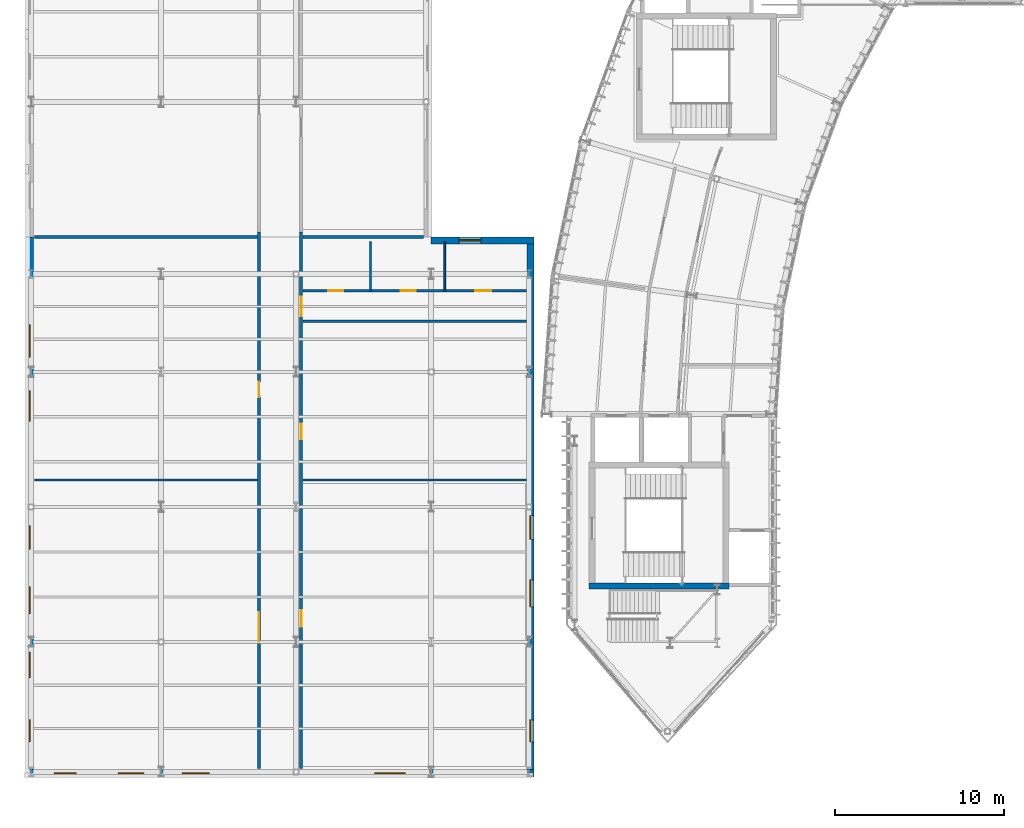
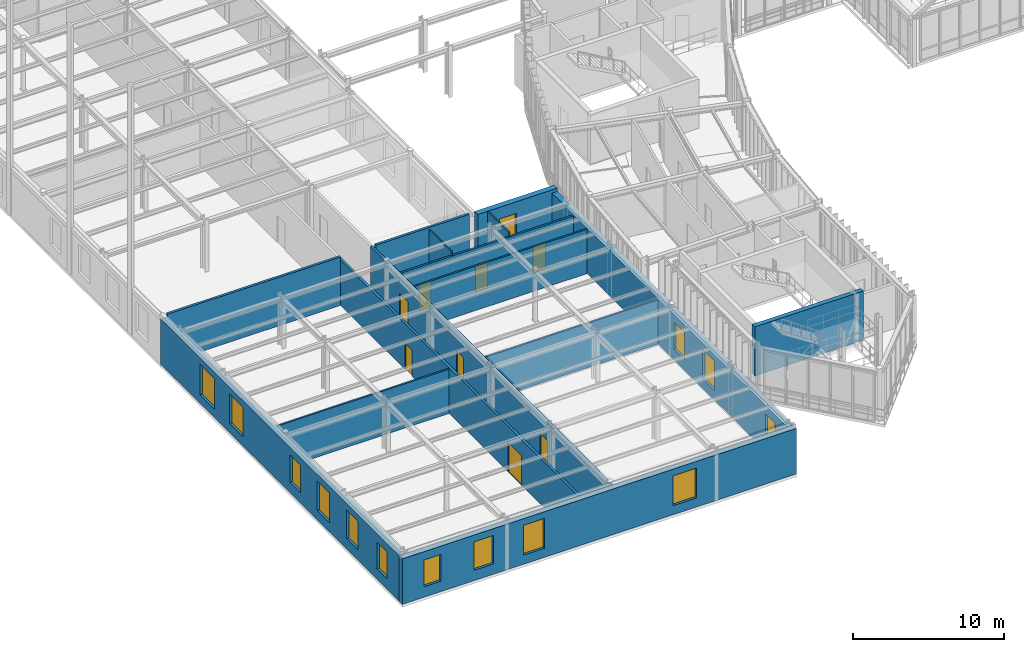
# One storey, part 124 of 148: 15 walls, 14 windows, 8 doors, 22 openings.
"""IFC4 building model written with IfcOpenShell, lengths in metres."""

from ifc_helpers import new_model, si_unit, direction, frame, frame_2d, origin, place, context, subcontext, project, spatial, rectangle, extrude, material, layer, layer_set, type_object, element, fill, save


model = new_model("IFC4")

# Units and contexts
model_context = context("Model", 3, precision=1e-05, world=origin(), true_north=direction((0.0, 1.0)))
body_context = subcontext(model_context, "Body", "Model", "MODEL_VIEW")
ifc_project = project(units=[si_unit("LENGTHUNIT", "METRE"), si_unit("AREAUNIT", "SQUARE_METRE"), si_unit("VOLUMEUNIT", "CUBIC_METRE"), si_unit("PLANEANGLEUNIT", "RADIAN"), si_unit("MASSUNIT", "GRAM", prefix="KILO"), si_unit("THERMODYNAMICTEMPERATUREUNIT", "KELVIN"), si_unit("POWERUNIT", "WATT")], contexts=[model_context])

# Site, building, storey
site_placement = place(None, origin())
site = spatial("IfcSite", under=ifc_project, at=site_placement, CompositionType="ELEMENT")
building_placement = place(site_placement, origin())
building = spatial("IfcBuilding", under=site, at=building_placement, Name="Solvatero Civic Police Headquarters", CompositionType="ELEMENT")
storey_placement = place(building_placement, frame((0.0, 0.0, 5.10009765625)))
storey = spatial("IfcBuildingStorey", under=building, at=storey_placement, Name="L01", CompositionType="ELEMENT", Elevation=5.10009765625)

# Wall, openings, windows
ifc_material_1 = material(Name="Cream Limestone Ashlar", Category="masonry")
ifc_layer_1 = layer(ifc_material_1, 0.419921875)
ifc_layer_set_1 = layer_set([ifc_layer_1], Name="Cream Limestone Ashlar")
wall_type_1 = type_object("IfcWallType", Name="WL-EXT-LIME-420", PredefinedType="SOLIDWALL", material=ifc_layer_set_1)
wall_1_placement = place(storey_placement, frame((4.510009765625, 4.719970703125, 0.0), z_axis=(0.0, 0.0, 1.0), x_axis=(1.0, 0.0, 0.0)))
wall_1 = element("IfcWall", 1, at=wall_1_placement, inside=storey, type_object=wall_type_1, Name="Exterior Wall WLE-L01-V4-S", PredefinedType="SOLIDWALL", context=body_context, shape_type="SweptSolid", body=[
    extrude(rectangle(XDim=30.080078125, YDim=0.419921875, at=frame_2d((15.0400390625, 0.0))), origin(), (0.0, 0.0, 1.0), 3.679931640625),
])
opening_1_placement = place(wall_1_placement, frame((1.64990234375, 0.0, 0.85009765625)))
opening_1 = element("IfcOpeningElement", 2, at=opening_1_placement, cuts=wall_1, Name="Opening W-13", PredefinedType="OPENING", context=body_context, shape_type="SweptSolid", body=[
    extrude(rectangle(XDim=1.300048828125, YDim=2.14990234375, at=frame_2d((0.64990234375, 1.074951171875))), frame((0.0, 0.219970703125, 0.0), z_axis=(0.0, -1.0, 0.0), x_axis=(1.0, 0.0, 0.0)), (0.0, 0.0, 1.0), 0.43994140625),
])
opening_2_placement = place(wall_1_placement, frame((5.449951171875, 0.0, 0.840087890625)))
opening_2 = element("IfcOpeningElement", 3, at=opening_2_placement, cuts=wall_1, Name="Opening W-03", PredefinedType="OPENING", context=body_context, shape_type="SweptSolid", body=[
    extrude(rectangle(XDim=1.5, YDim=2.300048828125, at=frame_2d((0.75, 1.14990234375))), frame((0.0, 0.219970703125, 0.0), z_axis=(0.0, -1.0, 0.0), x_axis=(1.0, 0.0, 0.0)), (0.0, 0.0, 1.0), 0.43994140625),
])
opening_3_placement = place(wall_1_placement, frame((9.25, 0.0, 0.739990234375)))
opening_3 = element("IfcOpeningElement", 4, at=opening_3_placement, cuts=wall_1, Name="Opening W-04", PredefinedType="OPENING", context=body_context, shape_type="SweptSolid", body=[
    extrude(rectangle(XDim=1.60009765625, YDim=2.39990234375, at=frame_2d((0.800048828125, 1.199951171875))), frame((0.0, 0.219970703125, 0.0), z_axis=(0.0, -1.0, 0.0), x_axis=(1.0, 0.0, 0.0)), (0.0, 0.0, 1.0), 0.43994140625),
])
opening_4_placement = place(wall_1_placement, frame((20.64990234375, 0.0, 0.739990234375)))
opening_4 = element("IfcOpeningElement", 5, at=opening_4_placement, cuts=wall_1, Name="Opening W-05", PredefinedType="OPENING", context=body_context, shape_type="SweptSolid", body=[
    extrude(rectangle(XDim=1.800048828125, YDim=2.39990234375, at=frame_2d((0.89990234375, 1.199951171875))), frame((0.0, 0.219970703125, 0.0), z_axis=(0.0, -1.0, 0.0), x_axis=(1.0, 0.0, 0.0)), (0.0, 0.0, 1.0), 0.43994140625),
])
ifc_material_2 = material(Name="Anodized Bronze Aluminium", Category="aluminium")
window_type_1 = type_object("IfcWindowType", Name="WN-CL-130x215", PartitioningType="SINGLE_PANEL", PredefinedType="WINDOW", material=ifc_material_2)
window_1_placement = place(opening_1_placement, origin())
window_1 = element("IfcWindow", 6, at=window_1_placement, inside=storey, type_object=window_type_1, Name="Exterior Window 0011", OverallHeight=2.14990234375, OverallWidth=1.300048828125, PartitioningType="SINGLE_PANEL", PredefinedType="WINDOW", context=body_context, shape_type="SweptSolid", body=[
    extrude(rectangle(XDim=1.300048828125, YDim=2.14990234375, at=frame_2d((0.64990234375, 1.074951171875))), frame((0.0, 0.030029296875, 0.0), z_axis=(0.0, -1.0, 0.0), x_axis=(1.0, 0.0, 0.0)), (0.0, 0.0, 1.0), 0.06005859375),
])
fill(opening_1, window_1)
window_type_2 = type_object("IfcWindowType", Name="WN-CL-150x230", PartitioningType="SINGLE_PANEL", PredefinedType="WINDOW", material=ifc_material_2)
window_2_placement = place(opening_2_placement, origin())
window_2 = element("IfcWindow", 7, at=window_2_placement, inside=storey, type_object=window_type_2, Name="Exterior Window 0012", OverallHeight=2.300048828125, OverallWidth=1.5, PartitioningType="SINGLE_PANEL", PredefinedType="WINDOW", context=body_context, shape_type="SweptSolid", body=[
    extrude(rectangle(XDim=1.5, YDim=2.300048828125, at=frame_2d((0.75, 1.14990234375))), frame((0.0, 0.030029296875, 0.0), z_axis=(0.0, -1.0, 0.0), x_axis=(1.0, 0.0, 0.0)), (0.0, 0.0, 1.0), 0.06005859375),
])
fill(opening_2, window_2)
window_type_3 = type_object("IfcWindowType", Name="WN-CL-160x240", PartitioningType="SINGLE_PANEL", PredefinedType="WINDOW", material=ifc_material_2)
window_3_placement = place(opening_3_placement, origin())
window_3 = element("IfcWindow", 8, at=window_3_placement, inside=storey, type_object=window_type_3, Name="Exterior Window 0013", OverallHeight=2.39990234375, OverallWidth=1.60009765625, PartitioningType="SINGLE_PANEL", PredefinedType="WINDOW", context=body_context, shape_type="SweptSolid", body=[
    extrude(rectangle(XDim=1.60009765625, YDim=2.39990234375, at=frame_2d((0.800048828125, 1.199951171875))), frame((0.0, 0.030029296875, 0.0), z_axis=(0.0, -1.0, 0.0), x_axis=(1.0, 0.0, 0.0)), (0.0, 0.0, 1.0), 0.06005859375),
])
fill(opening_3, window_3)
window_type_4 = type_object("IfcWindowType", Name="WN-CL-180x240", PartitioningType="SINGLE_PANEL", PredefinedType="WINDOW", material=ifc_material_2)
window_4_placement = place(opening_4_placement, origin())
window_4 = element("IfcWindow", 9, at=window_4_placement, inside=storey, type_object=window_type_4, Name="Exterior Window 0014", OverallHeight=2.39990234375, OverallWidth=1.800048828125, PartitioningType="SINGLE_PANEL", PredefinedType="WINDOW", context=body_context, shape_type="SweptSolid", body=[
    extrude(rectangle(XDim=1.800048828125, YDim=2.39990234375, at=frame_2d((0.89990234375, 1.199951171875))), frame((0.0, 0.030029296875, 0.0), z_axis=(0.0, -1.0, 0.0), x_axis=(1.0, 0.0, 0.0)), (0.0, 0.0, 1.0), 0.06005859375),
])
fill(opening_4, window_4)

wall_2_placement = place(storey_placement, frame((4.719970703125, 4.929931640625, 0.0), z_axis=(0.0, 0.0, 1.0), x_axis=(0.0, 1.0, 0.0)))
wall_2 = element("IfcWall", 10, at=wall_2_placement, inside=storey, type_object=wall_type_1, Name="Exterior Wall WLE-L01-V4-W", PredefinedType="SOLIDWALL", context=body_context, shape_type="SweptSolid", body=[
    extrude(rectangle(XDim=31.570068359375, YDim=0.419921875, at=frame_2d((15.78515625, 0.0))), origin(), (0.0, 0.0, 1.0), 3.679931640625),
])
opening_5_placement = place(wall_2_placement, frame((1.64990234375, 0.0, 0.85009765625)))
opening_5 = element("IfcOpeningElement", 11, at=opening_5_placement, cuts=wall_2, Name="Opening W-13", PredefinedType="OPENING", context=body_context, shape_type="SweptSolid", body=[
    extrude(rectangle(XDim=1.300048828125, YDim=2.14990234375, at=frame_2d((0.64990234375, 1.074951171875))), frame((0.0, 0.219970703125, 0.0), z_axis=(0.0, -1.0, 0.0), x_axis=(1.0, 0.0, 0.0)), (0.0, 0.0, 1.0), 0.43994140625),
])
opening_6_placement = place(wall_2_placement, frame((5.449951171875, 0.0, 0.840087890625)))
opening_6 = element("IfcOpeningElement", 12, at=opening_6_placement, cuts=wall_2, Name="Opening W-03", PredefinedType="OPENING", context=body_context, shape_type="SweptSolid", body=[
    extrude(rectangle(XDim=1.5, YDim=2.300048828125, at=frame_2d((0.75, 1.14990234375))), frame((0.0, 0.219970703125, 0.0), z_axis=(0.0, -1.0, 0.0), x_axis=(1.0, 0.0, 0.0)), (0.0, 0.0, 1.0), 0.43994140625),
])
opening_7_placement = place(wall_2_placement, frame((9.25, 0.0, 0.739990234375)))
opening_7 = element("IfcOpeningElement", 13, at=opening_7_placement, cuts=wall_2, Name="Opening W-04", PredefinedType="OPENING", context=body_context, shape_type="SweptSolid", body=[
    extrude(rectangle(XDim=1.60009765625, YDim=2.39990234375, at=frame_2d((0.800048828125, 1.199951171875))), frame((0.0, 0.219970703125, 0.0), z_axis=(0.0, -1.0, 0.0), x_axis=(1.0, 0.0, 0.0)), (0.0, 0.0, 1.0), 0.43994140625),
])
opening_8_placement = place(wall_2_placement, frame((13.050048828125, 0.0, 0.85009765625)))
opening_8 = element("IfcOpeningElement", 14, at=opening_8_placement, cuts=wall_2, Name="Opening W-02", PredefinedType="OPENING", context=body_context, shape_type="SweptSolid", body=[
    extrude(rectangle(XDim=1.39990234375, YDim=2.199951171875, at=frame_2d((0.699951171875, 1.10009765625))), frame((0.0, 0.219970703125, 0.0), z_axis=(0.0, -1.0, 0.0), x_axis=(1.0, 0.0, 0.0)), (0.0, 0.0, 1.0), 0.43994140625),
])
opening_9_placement = place(wall_2_placement, frame((20.64990234375, 0.0, 0.739990234375)))
opening_9 = element("IfcOpeningElement", 15, at=opening_9_placement, cuts=wall_2, Name="Opening W-05", PredefinedType="OPENING", context=body_context, shape_type="SweptSolid", body=[
    extrude(rectangle(XDim=1.800048828125, YDim=2.39990234375, at=frame_2d((0.89990234375, 1.199951171875))), frame((0.0, 0.219970703125, 0.0), z_axis=(0.0, -1.0, 0.0), x_axis=(1.0, 0.0, 0.0)), (0.0, 0.0, 1.0), 0.43994140625),
])
opening_10_placement = place(wall_2_placement, frame((24.449951171875, 0.0, 0.68994140625)))
opening_10 = element("IfcOpeningElement", 16, at=opening_10_placement, cuts=wall_2, Name="Opening W-15", PredefinedType="OPENING", context=body_context, shape_type="SweptSolid", body=[
    extrude(rectangle(XDim=1.89990234375, YDim=2.449951171875, at=frame_2d((0.949951171875, 1.22509765625))), frame((0.0, 0.219970703125, 0.0), z_axis=(0.0, -1.0, 0.0), x_axis=(1.0, 0.0, 0.0)), (0.0, 0.0, 1.0), 0.43994140625),
])
window_5_placement = place(opening_5_placement, origin())
window_5 = element("IfcWindow", 17, at=window_5_placement, inside=storey, type_object=window_type_1, Name="Exterior Window 0015", OverallHeight=2.14990234375, OverallWidth=1.300048828125, PartitioningType="SINGLE_PANEL", PredefinedType="WINDOW", context=body_context, shape_type="SweptSolid", body=[
    extrude(rectangle(XDim=1.300048828125, YDim=2.14990234375, at=frame_2d((0.64990234375, 1.074951171875))), frame((0.0, 0.030029296875, 0.0), z_axis=(0.0, -1.0, 0.0), x_axis=(1.0, 0.0, 0.0)), (0.0, 0.0, 1.0), 0.06005859375),
])
fill(opening_5, window_5)
window_type_5 = type_object("IfcWindowType", Name="WN-CL-140x220", PartitioningType="SINGLE_PANEL", PredefinedType="WINDOW", material=ifc_material_2)
window_6_placement = place(opening_8_placement, origin())
window_6 = element("IfcWindow", 18, at=window_6_placement, inside=storey, type_object=window_type_5, Name="Exterior Window 0018", OverallHeight=2.199951171875, OverallWidth=1.39990234375, PartitioningType="SINGLE_PANEL", PredefinedType="WINDOW", context=body_context, shape_type="SweptSolid", body=[
    extrude(rectangle(XDim=1.39990234375, YDim=2.199951171875, at=frame_2d((0.699951171875, 1.10009765625))), frame((0.0, 0.030029296875, 0.0), z_axis=(0.0, -1.0, 0.0), x_axis=(1.0, 0.0, 0.0)), (0.0, 0.0, 1.0), 0.06005859375),
])
fill(opening_8, window_6)
window_7_placement = place(opening_6_placement, origin())
window_7 = element("IfcWindow", 19, at=window_7_placement, inside=storey, type_object=window_type_2, Name="Exterior Window 0016", OverallHeight=2.300048828125, OverallWidth=1.5, PartitioningType="SINGLE_PANEL", PredefinedType="WINDOW", context=body_context, shape_type="SweptSolid", body=[
    extrude(rectangle(XDim=1.5, YDim=2.300048828125, at=frame_2d((0.75, 1.14990234375))), frame((0.0, 0.030029296875, 0.0), z_axis=(0.0, -1.0, 0.0), x_axis=(1.0, 0.0, 0.0)), (0.0, 0.0, 1.0), 0.06005859375),
])
fill(opening_6, window_7)
window_8_placement = place(opening_7_placement, origin())
window_8 = element("IfcWindow", 20, at=window_8_placement, inside=storey, type_object=window_type_3, Name="Exterior Window 0017", OverallHeight=2.39990234375, OverallWidth=1.60009765625, PartitioningType="SINGLE_PANEL", PredefinedType="WINDOW", context=body_context, shape_type="SweptSolid", body=[
    extrude(rectangle(XDim=1.60009765625, YDim=2.39990234375, at=frame_2d((0.800048828125, 1.199951171875))), frame((0.0, 0.030029296875, 0.0), z_axis=(0.0, -1.0, 0.0), x_axis=(1.0, 0.0, 0.0)), (0.0, 0.0, 1.0), 0.06005859375),
])
fill(opening_7, window_8)
window_9_placement = place(opening_9_placement, origin())
window_9 = element("IfcWindow", 21, at=window_9_placement, inside=storey, type_object=window_type_4, Name="Exterior Window 0019", OverallHeight=2.39990234375, OverallWidth=1.800048828125, PartitioningType="SINGLE_PANEL", PredefinedType="WINDOW", context=body_context, shape_type="SweptSolid", body=[
    extrude(rectangle(XDim=1.800048828125, YDim=2.39990234375, at=frame_2d((0.89990234375, 1.199951171875))), frame((0.0, 0.030029296875, 0.0), z_axis=(0.0, -1.0, 0.0), x_axis=(1.0, 0.0, 0.0)), (0.0, 0.0, 1.0), 0.06005859375),
])
fill(opening_9, window_9)
window_type_6 = type_object("IfcWindowType", Name="WN-CL-190x245", PartitioningType="SINGLE_PANEL", PredefinedType="WINDOW", material=ifc_material_2)
window_10_placement = place(opening_10_placement, origin())
window_10 = element("IfcWindow", 22, at=window_10_placement, inside=storey, type_object=window_type_6, Name="Exterior Window 0020", OverallHeight=2.449951171875, OverallWidth=1.89990234375, PartitioningType="SINGLE_PANEL", PredefinedType="WINDOW", context=body_context, shape_type="SweptSolid", body=[
    extrude(rectangle(XDim=1.89990234375, YDim=2.449951171875, at=frame_2d((0.949951171875, 1.22509765625))), frame((0.0, 0.030029296875, 0.0), z_axis=(0.0, -1.0, 0.0), x_axis=(1.0, 0.0, 0.0)), (0.0, 0.0, 1.0), 0.06005859375),
])
fill(opening_10, window_10)

wall_3_placement = place(storey_placement, frame((34.3798828125, 4.929931640625, 0.0), z_axis=(0.0, 0.0, 1.0), x_axis=(0.0, 1.0, 0.0)))
wall_3 = element("IfcWall", 23, at=wall_3_placement, inside=storey, type_object=wall_type_1, Name="Exterior Wall WLE-L01-V4-E", PredefinedType="SOLIDWALL", context=body_context, shape_type="SweptSolid", body=[
    extrude(rectangle(XDim=31.360107421875, YDim=0.419921875, at=frame_2d((15.68017578125, 0.0))), origin(), (0.0, 0.0, 1.0), 3.679931640625),
])
opening_11_placement = place(wall_3_placement, frame((1.64990234375, 0.0, 0.85009765625)))
opening_11 = element("IfcOpeningElement", 24, at=opening_11_placement, cuts=wall_3, Name="Opening W-13", PredefinedType="OPENING", context=body_context, shape_type="SweptSolid", body=[
    extrude(rectangle(XDim=1.300048828125, YDim=2.14990234375, at=frame_2d((0.64990234375, 1.074951171875))), frame((0.0, 0.219970703125, 0.0), z_axis=(0.0, -1.0, 0.0), x_axis=(1.0, 0.0, 0.0)), (0.0, 0.0, 1.0), 0.43994140625),
])
opening_12_placement = place(wall_3_placement, frame((9.64990234375, 0.0, 0.739990234375)))
opening_12 = element("IfcOpeningElement", 25, at=opening_12_placement, cuts=wall_3, Name="Opening W-04", PredefinedType="OPENING", context=body_context, shape_type="SweptSolid", body=[
    extrude(rectangle(XDim=1.60009765625, YDim=2.39990234375, at=frame_2d((0.800048828125, 1.199951171875))), frame((0.0, 0.219970703125, 0.0), z_axis=(0.0, -1.0, 0.0), x_axis=(1.0, 0.0, 0.0)), (0.0, 0.0, 1.0), 0.43994140625),
])
opening_13_placement = place(wall_3_placement, frame((13.64990234375, 0.0, 0.85009765625)))
opening_13 = element("IfcOpeningElement", 26, at=opening_13_placement, cuts=wall_3, Name="Opening W-02", PredefinedType="OPENING", context=body_context, shape_type="SweptSolid", body=[
    extrude(rectangle(XDim=1.39990234375, YDim=2.199951171875, at=frame_2d((0.699951171875, 1.10009765625))), frame((0.0, 0.219970703125, 0.0), z_axis=(0.0, -1.0, 0.0), x_axis=(1.0, 0.0, 0.0)), (0.0, 0.0, 1.0), 0.43994140625),
])
window_11_placement = place(opening_11_placement, origin())
window_11 = element("IfcWindow", 27, at=window_11_placement, inside=storey, type_object=window_type_1, Name="Exterior Window 0021", OverallHeight=2.14990234375, OverallWidth=1.300048828125, PartitioningType="SINGLE_PANEL", PredefinedType="WINDOW", context=body_context, shape_type="SweptSolid", body=[
    extrude(rectangle(XDim=1.300048828125, YDim=2.14990234375, at=frame_2d((0.64990234375, 1.074951171875))), frame((0.0, 0.030029296875, 0.0), z_axis=(0.0, -1.0, 0.0), x_axis=(1.0, 0.0, 0.0)), (0.0, 0.0, 1.0), 0.06005859375),
])
fill(opening_11, window_11)
window_12_placement = place(opening_13_placement, origin())
window_12 = element("IfcWindow", 28, at=window_12_placement, inside=storey, type_object=window_type_5, Name="Exterior Window 0023", OverallHeight=2.199951171875, OverallWidth=1.39990234375, PartitioningType="SINGLE_PANEL", PredefinedType="WINDOW", context=body_context, shape_type="SweptSolid", body=[
    extrude(rectangle(XDim=1.39990234375, YDim=2.199951171875, at=frame_2d((0.699951171875, 1.10009765625))), frame((0.0, 0.030029296875, 0.0), z_axis=(0.0, -1.0, 0.0), x_axis=(1.0, 0.0, 0.0)), (0.0, 0.0, 1.0), 0.06005859375),
])
fill(opening_13, window_12)
window_13_placement = place(opening_12_placement, origin())
window_13 = element("IfcWindow", 29, at=window_13_placement, inside=storey, type_object=window_type_3, Name="Exterior Window 0022", OverallHeight=2.39990234375, OverallWidth=1.60009765625, PartitioningType="SINGLE_PANEL", PredefinedType="WINDOW", context=body_context, shape_type="SweptSolid", body=[
    extrude(rectangle(XDim=1.60009765625, YDim=2.39990234375, at=frame_2d((0.800048828125, 1.199951171875))), frame((0.0, 0.030029296875, 0.0), z_axis=(0.0, -1.0, 0.0), x_axis=(1.0, 0.0, 0.0)), (0.0, 0.0, 1.0), 0.06005859375),
])
fill(opening_12, window_13)

# Wall, opening, window
wall_4_placement = place(storey_placement, frame((28.5, 36.2900390625, 0.0), z_axis=(0.0, 0.0, 1.0), x_axis=(1.0, 0.0, 0.0)))
wall_4 = element("IfcWall", 30, at=wall_4_placement, inside=storey, type_object=wall_type_1, Name="Exterior Wall WLE-L01-V4-N", PredefinedType="SOLIDWALL", context=body_context, shape_type="SweptSolid", body=[
    extrude(rectangle(XDim=6.090087890625, YDim=0.419921875, at=frame_2d((3.044921875, 0.0))), origin(), (0.0, 0.0, 1.0), 3.93994140625),
])
opening_14_placement = place(wall_4_placement, frame((1.64990234375, 0.0, 0.85009765625)))
opening_14 = element("IfcOpeningElement", 31, at=opening_14_placement, cuts=wall_4, Name="Opening W-13", PredefinedType="OPENING", context=body_context, shape_type="SweptSolid", body=[
    extrude(rectangle(XDim=1.300048828125, YDim=2.14990234375, at=frame_2d((0.64990234375, 1.074951171875))), frame((0.0, 0.219970703125, 0.0), z_axis=(0.0, -1.0, 0.0), x_axis=(1.0, 0.0, 0.0)), (0.0, 0.0, 1.0), 0.43994140625),
])
window_14_placement = place(opening_14_placement, origin())
window_14 = element("IfcWindow", 32, at=window_14_placement, inside=storey, type_object=window_type_1, Name="Exterior Window 0024", OverallHeight=2.14990234375, OverallWidth=1.300048828125, PartitioningType="SINGLE_PANEL", PredefinedType="WINDOW", context=body_context, shape_type="SweptSolid", body=[
    extrude(rectangle(XDim=1.300048828125, YDim=2.14990234375, at=frame_2d((0.64990234375, 1.074951171875))), frame((0.0, 0.030029296875, 0.0), z_axis=(0.0, -1.0, 0.0), x_axis=(1.0, 0.0, 0.0)), (0.0, 0.0, 1.0), 0.06005859375),
])
fill(opening_14, window_14)

# Walls
ifc_material_3 = material(Name="Gypsum Acoustic Stud", Category="gypsum")
ifc_layer_2 = layer(ifc_material_3, 0.10009765625)
ifc_layer_set_2 = layer_set([ifc_layer_2], Name="Gypsum Acoustic Stud")
wall_type_2 = type_object("IfcWallType", Name="WL-PTN-100", PredefinedType="PARTITIONING", material=ifc_layer_set_2)
for number, where, z_axis, x_axis, name in (
    (33, (24.89990234375, 33.300048828125, 0.0), (0.0, 0.0, 1.0), (0.0, 1.0, 0.0), "Interior Partition WLP-L01-V4-WC1"),
    (34, (29.300048828125, 33.300048828125, 0.0), (0.0, 0.0, 1.0), (0.0, 1.0, 0.0), "Interior Partition WLP-L01-V4-WC2"),
):
    element("IfcWall", number, at=place(storey_placement, frame(where, z_axis=z_axis, x_axis=x_axis)), inside=storey, type_object=wall_type_2, Name=name, PredefinedType="PARTITIONING", context=body_context, shape_type="SweptSolid", body=[
        extrude(rectangle(XDim=2.89990234375, YDim=0.10009765625, at=frame_2d((1.449951171875, 0.0))), origin(), (0.0, 0.0, 1.0), 3.919921875),
    ])
ifc_material_4 = material(Name="Gypsum Double-Stud", Category="gypsum")
ifc_layer_3 = layer(ifc_material_4, 0.135009765625)
ifc_layer_set_3 = layer_set([ifc_layer_3], Name="Gypsum Double-Stud")
wall_type_3 = type_object("IfcWallType", Name="WL-PTN-135", PredefinedType="PARTITIONING", material=ifc_layer_set_3)
wall_5_placement = place(storey_placement, frame((5.0, 22.10009765625, 0.0), z_axis=(0.0, 0.0, 1.0), x_axis=(1.0, 0.0, 0.0)))
element("IfcWall", 35, at=wall_5_placement, inside=storey, type_object=wall_type_3, Name="Interior Partition WLP-L01-V4-H1", PredefinedType="PARTITIONING", context=body_context, shape_type="SweptSolid", body=[
    extrude(rectangle(XDim=13.199951171875, YDim=0.135009765625, at=frame_2d((6.60009765625, 0.0))), origin(), (0.0, 0.0, 1.0), 3.577880859375),
])
for number, where, z_axis, x_axis, name in (
    (36, (20.89990234375, 22.10009765625, 0.0), (0.0, 0.0, 1.0), (1.0, 0.0, 0.0), "Interior Partition WLP-L01-V4-H2"),
    (37, (20.89990234375, 31.5, 0.0), (0.0, 0.0, 1.0), (1.0, 0.0, 0.0), "Interior Partition WLP-L01-V4-SPUR"),
):
    element("IfcWall", number, at=place(storey_placement, frame(where, z_axis=z_axis, x_axis=x_axis)), inside=storey, type_object=wall_type_3, Name=name, PredefinedType="PARTITIONING", context=body_context, shape_type="SweptSolid", body=[
        extrude(rectangle(XDim=13.25, YDim=0.135009765625, at=frame_2d((6.625, 0.0))), origin(), (0.0, 0.0, 1.0), 3.577880859375),
    ])

# Wall, openings, doors
ifc_layer_4 = layer(ifc_material_3, 0.14990234375)
ifc_layer_set_4 = layer_set([ifc_layer_4], Name="Gypsum Acoustic Stud")
wall_type_4 = type_object("IfcWallType", Name="WL-PTN-150", PredefinedType="PARTITIONING", material=ifc_layer_set_4)
wall_6_placement = place(storey_placement, frame((20.89990234375, 33.300048828125, 0.0), z_axis=(0.0, 0.0, 1.0), x_axis=(1.0, 0.0, 0.0)))
wall_6 = element("IfcWall", 38, at=wall_6_placement, inside=storey, type_object=wall_type_4, Name="Interior Partition WLP-L01-V4-WCS", PredefinedType="PARTITIONING", context=body_context, shape_type="SweptSolid", body=[
    extrude(rectangle(XDim=13.25, YDim=0.14990234375, at=frame_2d((6.625, 0.0))), origin(), (0.0, 0.0, 1.0), 3.577880859375),
])
opening_15_placement = place(wall_6_placement, frame((1.5, 0.0, 0.0)))
opening_15 = element("IfcOpeningElement", 39, at=opening_15_placement, cuts=wall_6, Name="Opening ID-01", PredefinedType="OPENING", context=body_context, shape_type="SweptSolid", body=[
    extrude(rectangle(XDim=0.8798828125, YDim=2.10009765625, at=frame_2d((0.43994140625, 1.050048828125))), frame((0.0, 0.0849609375, 0.0), z_axis=(0.0, -1.0, 0.0), x_axis=(1.0, 0.0, 0.0)), (0.0, 0.0, 1.0), 0.169921875),
])
opening_16_placement = place(wall_6_placement, frame((5.800048828125, 0.0, 0.0)))
opening_16 = element("IfcOpeningElement", 40, at=opening_16_placement, cuts=wall_6, Name="Opening ID-02", PredefinedType="OPENING", context=body_context, shape_type="SweptSolid", body=[
    extrude(rectangle(XDim=0.89990234375, YDim=2.10009765625, at=frame_2d((0.449951171875, 1.050048828125))), frame((0.0, 0.0849609375, 0.0), z_axis=(0.0, -1.0, 0.0), x_axis=(1.0, 0.0, 0.0)), (0.0, 0.0, 1.0), 0.169921875),
])
opening_17_placement = place(wall_6_placement, frame((10.199951171875, 0.0, 0.0)))
opening_17 = element("IfcOpeningElement", 41, at=opening_17_placement, cuts=wall_6, Name="Opening ID-04", PredefinedType="OPENING", context=body_context, shape_type="SweptSolid", body=[
    extrude(rectangle(XDim=0.949951171875, YDim=2.14990234375, at=frame_2d((0.47509765625, 1.074951171875))), frame((0.0, 0.0849609375, 0.0), z_axis=(0.0, -1.0, 0.0), x_axis=(1.0, 0.0, 0.0)), (0.0, 0.0, 1.0), 0.169921875),
])
ifc_material_5 = material(Name="Acoustic Oak Timber Veneer", Category="wood")
door_type_1 = type_object("IfcDoorType", Name="DR-ACC-095x215", OperationType="NOTDEFINED", PredefinedType="DOOR", material=ifc_material_5)
door_1_placement = place(opening_17_placement, origin())
door_1 = element("IfcDoor", 42, at=door_1_placement, inside=storey, type_object=door_type_1, Name="Interior Door DR-L01-V4-WCA", OperationType="SINGLE_SWING_RIGHT", OverallHeight=2.14990234375, OverallWidth=0.949951171875, PredefinedType="DOOR", context=body_context, shape_type="SweptSolid", body=[
    extrude(rectangle(XDim=0.949951171875, YDim=2.14990234375, at=frame_2d((0.47509765625, 1.074951171875))), frame((0.0, 0.02490234375, 0.0), z_axis=(0.0, -1.0, 0.0), x_axis=(1.0, 0.0, 0.0)), (0.0, 0.0, 1.0), 0.050048828125),
])
fill(opening_17, door_1)
door_type_2 = type_object("IfcDoorType", Name="DR-OFF-088x210", OperationType="NOTDEFINED", PredefinedType="DOOR", material=ifc_material_5)
door_2_placement = place(opening_15_placement, origin())
door_2 = element("IfcDoor", 43, at=door_2_placement, inside=storey, type_object=door_type_2, Name="Interior Door DR-L01-V4-WCM", OperationType="SINGLE_SWING_RIGHT", OverallHeight=2.10009765625, OverallWidth=0.8798828125, PredefinedType="DOOR", context=body_context, shape_type="SweptSolid", body=[
    extrude(rectangle(XDim=0.8798828125, YDim=2.10009765625, at=frame_2d((0.43994140625, 1.050048828125))), frame((0.0, 0.02490234375, 0.0), z_axis=(0.0, -1.0, 0.0), x_axis=(1.0, 0.0, 0.0)), (0.0, 0.0, 1.0), 0.050048828125),
])
fill(opening_15, door_2)
door_type_3 = type_object("IfcDoorType", Name="DR-OFF-090x210", OperationType="NOTDEFINED", PredefinedType="DOOR", material=ifc_material_5)
door_3_placement = place(opening_16_placement, origin())
door_3 = element("IfcDoor", 44, at=door_3_placement, inside=storey, type_object=door_type_3, Name="Interior Door DR-L01-V4-WCF", OperationType="SINGLE_SWING_LEFT", OverallHeight=2.10009765625, OverallWidth=0.89990234375, PredefinedType="DOOR", context=body_context, shape_type="SweptSolid", body=[
    extrude(rectangle(XDim=0.89990234375, YDim=2.10009765625, at=frame_2d((0.449951171875, 1.050048828125))), frame((0.0, 0.02490234375, 0.0), z_axis=(0.0, -1.0, 0.0), x_axis=(1.0, 0.0, 0.0)), (0.0, 0.0, 1.0), 0.050048828125),
])
fill(opening_16, door_3)

ifc_material_6 = material(Name="Concrete Blockwork", Category="masonry")
ifc_layer_5 = layer(ifc_material_6, 0.179931640625)
ifc_layer_set_5 = layer_set([ifc_layer_5], Name="Concrete Blockwork")
wall_type_5 = type_object("IfcWallType", Name="WL-PTN-180", PredefinedType="PARTITIONING", material=ifc_layer_set_5)
wall_7_placement = place(storey_placement, frame((18.300048828125, 5.0, 0.0), z_axis=(0.0, 0.0, 1.0), x_axis=(0.0, 1.0, 0.0)))
wall_7 = element("IfcWall", 45, at=wall_7_placement, inside=storey, type_object=wall_type_5, Name="Interior Partition WLP-L01-V4-CW", PredefinedType="PARTITIONING", context=body_context, shape_type="SweptSolid", body=[
    extrude(rectangle(XDim=31.800048828125, YDim=0.179931640625, at=frame_2d((15.89990234375, 0.0))), origin(), (0.0, 0.0, 1.0), 3.677978515625),
])
opening_18_placement = place(wall_7_placement, frame((7.5, 0.0, 0.0)))
opening_18 = element("IfcOpeningElement", 46, at=opening_18_placement, cuts=wall_7, Name="Opening ID-17", PredefinedType="OPENING", context=body_context, shape_type="SweptSolid", body=[
    extrude(rectangle(XDim=1.760009765625, YDim=2.360107421875, at=frame_2d((0.8798828125, 1.18017578125))), frame((0.0, 0.099853515625, 0.0), z_axis=(0.0, -1.0, 0.0), x_axis=(1.0, 0.0, 0.0)), (0.0, 0.0, 1.0), 0.199951171875),
])
opening_19_placement = place(wall_7_placement, frame((22.0, 0.0, 0.0)))
opening_19 = element("IfcOpeningElement", 47, at=opening_19_placement, cuts=wall_7, Name="Opening ID-02", PredefinedType="OPENING", context=body_context, shape_type="SweptSolid", body=[
    extrude(rectangle(XDim=0.89990234375, YDim=2.10009765625, at=frame_2d((0.449951171875, 1.050048828125))), frame((0.0, 0.099853515625, 0.0), z_axis=(0.0, -1.0, 0.0), x_axis=(1.0, 0.0, 0.0)), (0.0, 0.0, 1.0), 0.199951171875),
])
ifc_material_7 = material(Name="Powder-Coated Steel", Category="steel")
door_type_4 = type_object("IfcDoorType", Name="DR-DBL-176x236", OperationType="NOTDEFINED", PredefinedType="DOOR", material=ifc_material_7)
door_4_placement = place(opening_18_placement, origin())
door_4 = element("IfcDoor", 48, at=door_4_placement, inside=storey, type_object=door_type_4, Name="Interior Door DR-L01-V4-1", OperationType="DOUBLE_DOOR_SINGLE_SWING", OverallHeight=2.360107421875, OverallWidth=1.760009765625, PredefinedType="DOOR", context=body_context, shape_type="SweptSolid", body=[
    extrude(rectangle(XDim=1.760009765625, YDim=2.360107421875, at=frame_2d((0.8798828125, 1.18017578125))), frame((0.0, 0.02490234375, 0.0), z_axis=(0.0, -1.0, 0.0), x_axis=(1.0, 0.0, 0.0)), (0.0, 0.0, 1.0), 0.050048828125),
])
fill(opening_18, door_4)
door_5_placement = place(opening_19_placement, origin())
door_5 = element("IfcDoor", 49, at=door_5_placement, inside=storey, type_object=door_type_3, Name="Interior Door DR-L01-V4-2", OperationType="SINGLE_SWING_RIGHT", OverallHeight=2.10009765625, OverallWidth=0.89990234375, PredefinedType="DOOR", context=body_context, shape_type="SweptSolid", body=[
    extrude(rectangle(XDim=0.89990234375, YDim=2.10009765625, at=frame_2d((0.449951171875, 1.050048828125))), frame((0.0, 0.02490234375, 0.0), z_axis=(0.0, -1.0, 0.0), x_axis=(1.0, 0.0, 0.0)), (0.0, 0.0, 1.0), 0.050048828125),
])
fill(opening_19, door_5)

wall_8_placement = place(storey_placement, frame((20.800048828125, 5.0, 0.0), z_axis=(0.0, 0.0, 1.0), x_axis=(0.0, 1.0, 0.0)))
wall_8 = element("IfcWall", 50, at=wall_8_placement, inside=storey, type_object=wall_type_5, Name="Interior Partition WLP-L01-V4-CE", PredefinedType="PARTITIONING", context=body_context, shape_type="SweptSolid", body=[
    extrude(rectangle(XDim=31.800048828125, YDim=0.179931640625, at=frame_2d((15.89990234375, 0.0))), origin(), (0.0, 0.0, 1.0), 3.677978515625),
])
opening_20_placement = place(wall_8_placement, frame((8.39990234375, 0.0, 0.0)))
opening_20 = element("IfcOpeningElement", 51, at=opening_20_placement, cuts=wall_8, Name="Opening ID-05", PredefinedType="OPENING", context=body_context, shape_type="SweptSolid", body=[
    extrude(rectangle(XDim=0.97998046875, YDim=2.159912109375, at=frame_2d((0.489990234375, 1.080078125))), frame((0.0, 0.099853515625, 0.0), z_axis=(0.0, -1.0, 0.0), x_axis=(1.0, 0.0, 0.0)), (0.0, 0.0, 1.0), 0.199951171875),
])
opening_21_placement = place(wall_8_placement, frame((19.5, 0.0, 0.0)))
opening_21 = element("IfcOpeningElement", 52, at=opening_21_placement, cuts=wall_8, Name="Opening ID-03", PredefinedType="OPENING", context=body_context, shape_type="SweptSolid", body=[
    extrude(rectangle(XDim=0.919921875, YDim=2.1201171875, at=frame_2d((0.4599609375, 1.06005859375))), frame((0.0, 0.099853515625, 0.0), z_axis=(0.0, -1.0, 0.0), x_axis=(1.0, 0.0, 0.0)), (0.0, 0.0, 1.0), 0.199951171875),
])
opening_22_placement = place(wall_8_placement, frame((26.800048828125, 0.0, 0.0)))
opening_22 = element("IfcOpeningElement", 53, at=opening_22_placement, cuts=wall_8, Name="Opening ID-10", PredefinedType="OPENING", context=body_context, shape_type="SweptSolid", body=[
    extrude(rectangle(XDim=1.14990234375, YDim=2.199951171875, at=frame_2d((0.574951171875, 1.10009765625))), frame((0.0, 0.099853515625, 0.0), z_axis=(0.0, -1.0, 0.0), x_axis=(1.0, 0.0, 0.0)), (0.0, 0.0, 1.0), 0.199951171875),
])
door_type_5 = type_object("IfcDoorType", Name="DR-COR-115x220", OperationType="NOTDEFINED", PredefinedType="DOOR", material=ifc_material_7)
door_6_placement = place(opening_22_placement, origin())
door_6 = element("IfcDoor", 54, at=door_6_placement, inside=storey, type_object=door_type_5, Name="Interior Door DR-L01-V4-SPURD", OperationType="SINGLE_SWING_LEFT", OverallHeight=2.199951171875, OverallWidth=1.14990234375, PredefinedType="DOOR", context=body_context, shape_type="SweptSolid", body=[
    extrude(rectangle(XDim=1.14990234375, YDim=2.199951171875, at=frame_2d((0.574951171875, 1.10009765625))), frame((0.0, 0.02490234375, 0.0), z_axis=(0.0, -1.0, 0.0), x_axis=(1.0, 0.0, 0.0)), (0.0, 0.0, 1.0), 0.050048828125),
])
fill(opening_22, door_6)
door_type_6 = type_object("IfcDoorType", Name="DR-OFF-092x212", OperationType="NOTDEFINED", PredefinedType="DOOR", material=ifc_material_5)
door_7_placement = place(opening_21_placement, origin())
door_7 = element("IfcDoor", 55, at=door_7_placement, inside=storey, type_object=door_type_6, Name="Interior Door DR-L01-V4-4", OperationType="SINGLE_SWING_RIGHT", OverallHeight=2.1201171875, OverallWidth=0.919921875, PredefinedType="DOOR", context=body_context, shape_type="SweptSolid", body=[
    extrude(rectangle(XDim=0.919921875, YDim=2.1201171875, at=frame_2d((0.4599609375, 1.06005859375))), frame((0.0, 0.02490234375, 0.0), z_axis=(0.0, -1.0, 0.0), x_axis=(1.0, 0.0, 0.0)), (0.0, 0.0, 1.0), 0.050048828125),
])
fill(opening_21, door_7)
door_type_7 = type_object("IfcDoorType", Name="DR-OFF-098x216", OperationType="NOTDEFINED", PredefinedType="DOOR", material=ifc_material_7)
door_8_placement = place(opening_20_placement, origin())
door_8 = element("IfcDoor", 56, at=door_8_placement, inside=storey, type_object=door_type_7, Name="Interior Door DR-L01-V4-3", OperationType="SINGLE_SWING_LEFT", OverallHeight=2.159912109375, OverallWidth=0.97998046875, PredefinedType="DOOR", context=body_context, shape_type="SweptSolid", body=[
    extrude(rectangle(XDim=0.97998046875, YDim=2.159912109375, at=frame_2d((0.489990234375, 1.080078125))), frame((0.0, 0.02490234375, 0.0), z_axis=(0.0, -1.0, 0.0), x_axis=(1.0, 0.0, 0.0)), (0.0, 0.0, 1.0), 0.050048828125),
])
fill(opening_20, door_8)

# Walls
wall_9_placement = place(storey_placement, frame((5.0, 36.5, 0.0), z_axis=(0.0, 0.0, 1.0), x_axis=(1.0, 0.0, 0.0)))
element("IfcWall", 57, at=wall_9_placement, inside=storey, type_object=wall_type_5, Name="Interior Partition WLP-L01-V4-DIVW", PredefinedType="PARTITIONING", context=body_context, shape_type="SweptSolid", body=[
    extrude(rectangle(XDim=13.199951171875, YDim=0.179931640625, at=frame_2d((6.60009765625, 0.0))), origin(), (0.0, 0.0, 1.0), 3.919921875),
])
wall_10_placement = place(storey_placement, frame((20.89990234375, 36.5, 0.0), z_axis=(0.0, 0.0, 1.0), x_axis=(1.0, 0.0, 0.0)))
element("IfcWall", 58, at=wall_10_placement, inside=storey, type_object=wall_type_5, Name="Interior Partition WLP-L01-V4-DIVE", PredefinedType="PARTITIONING", context=body_context, shape_type="SweptSolid", body=[
    extrude(rectangle(XDim=7.150146484375, YDim=0.179931640625, at=frame_2d((3.5751953125, 0.0))), origin(), (0.0, 0.0, 1.0), 3.919921875),
])
ifc_material_8 = material(Name="Concrete C40/50", Category="concrete")
ifc_layer_6 = layer(ifc_material_8, 0.35009765625)
ifc_layer_set_6 = layer_set([ifc_layer_6], Name="Concrete C40/50")
wall_type_6 = type_object("IfcWallType", Name="WL-SHR-350", PredefinedType="SHEAR", material=ifc_layer_set_6)
wall_11_placement = place(storey_placement, frame((37.85009765625, 15.824951171875, 0.0), z_axis=(0.0, 0.0, 1.0), x_axis=(1.0, 0.0, 0.0)))
element("IfcWall", 59, at=wall_11_placement, inside=storey, type_object=wall_type_6, Name="Core C1 Shear Wall S L01", PredefinedType="SHEAR", context=body_context, shape_type="SweptSolid", body=[
    extrude(rectangle(XDim=8.2998046875, YDim=0.35009765625, at=frame_2d((4.14990234375, 0.0))), origin(), (0.0, 0.0, 1.0), 3.97998046875),
])

save(model, "model.ifc")
